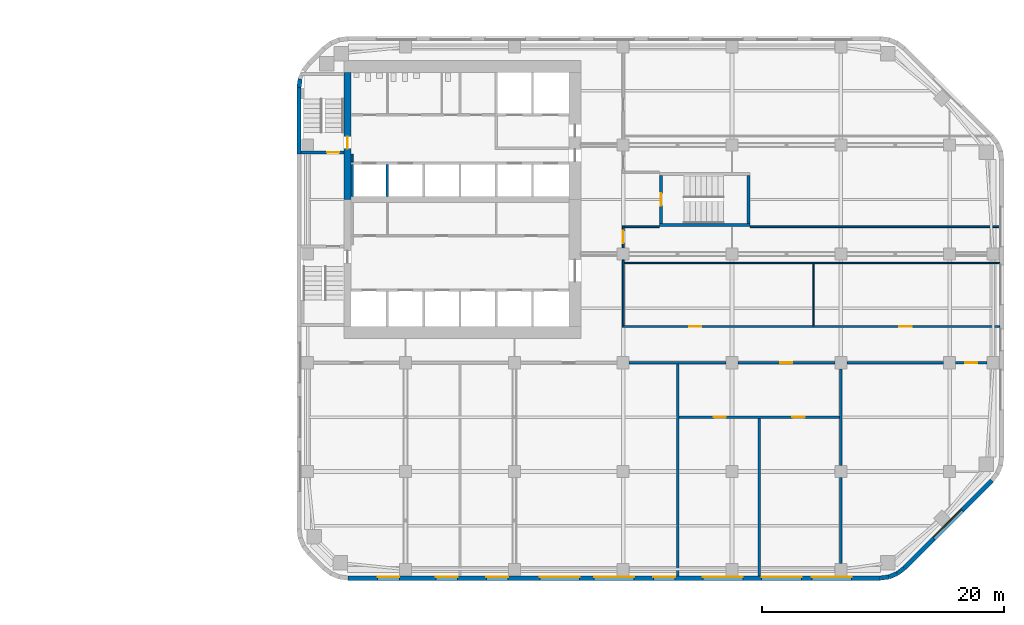
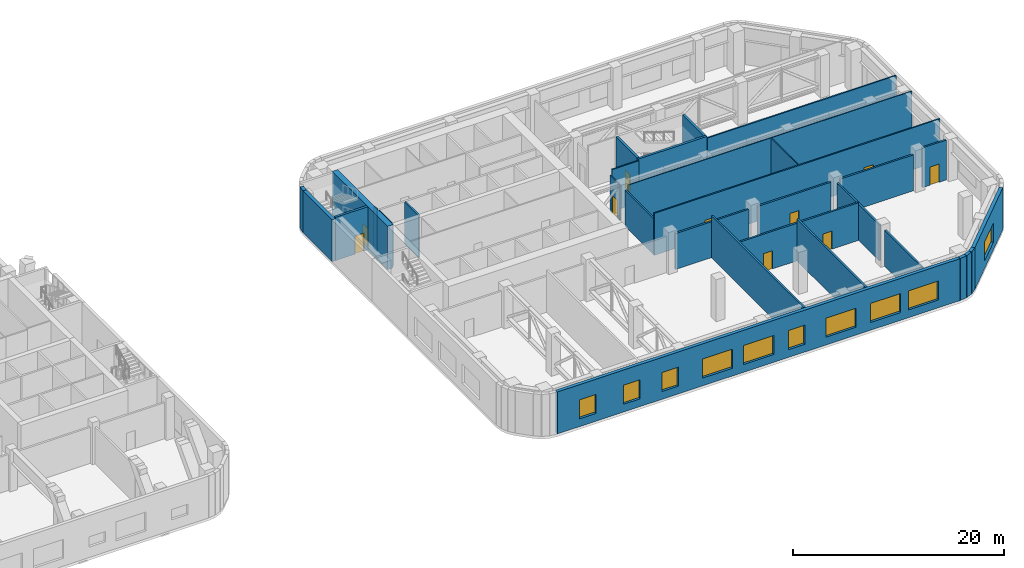
# One storey, part 16 of 23: 31 walls, 10 doors, 10 windows, 20 openings.
"""IFC4 building model written with IfcOpenShell, lengths in metres."""

from ifc_helpers import new_model, si_unit, direction, frame, frame_2d, origin, place, context, subcontext, project, spatial, rectangle, extrude, material, layer, layer_set, type_object, element, fill, save


model = new_model("IFC4")

# Units and contexts
model_context = context("Model", 3, precision=1e-05, world=origin(), true_north=direction((0.0, 1.0)))
body_context = subcontext(model_context, "Body", "Model", "MODEL_VIEW")
ifc_project = project(units=[si_unit("LENGTHUNIT", "METRE"), si_unit("AREAUNIT", "SQUARE_METRE"), si_unit("VOLUMEUNIT", "CUBIC_METRE"), si_unit("PLANEANGLEUNIT", "RADIAN"), si_unit("MASSUNIT", "GRAM", prefix="KILO")], contexts=[model_context])

# Site, building, storey
site_placement = place(None, origin())
site = spatial("IfcSite", under=ifc_project, at=site_placement, CompositionType="ELEMENT")
building_placement = place(site_placement, origin())
building = spatial("IfcBuilding", under=site, at=building_placement, Name="Cinnabar Reach Civic Tower", CompositionType="ELEMENT")
storey_placement = place(building_placement, frame((0.0, 0.0, 46.0)))
storey = spatial("IfcBuildingStorey", under=building, at=storey_placement, Name="L10", CompositionType="ELEMENT", Elevation=46.0)

# Walls
ifc_material_1 = material(Name="Facing brick with insulated backing", Category="masonry")
ifc_layer_1 = layer(ifc_material_1, 0.36)
ifc_layer_set_1 = layer_set([ifc_layer_1], Name="Brick corner wall")
wall_type_1 = type_object("IfcWallType", Name="Brick corner wall", PredefinedType="STANDARD", material=ifc_layer_set_1)
for number, where, z_axis, x_axis, name in (
    (1, (48.2686, 0.183, 0.0), (0.0, 0.0, 1.0), (0.99144092581, 0.13055608231, 0.0), "Brick corner wall"),
    (2, (48.9973, 0.2819, 0.0), (0.0, 0.0, 1.0), (0.923871547278, 0.382702709855, 0.0), "Brick corner wall"),
):
    element("IfcWall", number, at=place(storey_placement, frame(where, z_axis=z_axis, x_axis=x_axis)), inside=storey, type_object=wall_type_1, Name=name, PredefinedType="STANDARD", context=body_context, shape_type="SweptSolid", body=[
        extrude(rectangle(XDim=0.7131, YDim=0.36, at=frame_2d((0.3565, 0.0))), origin(), (0.0, 0.0, 1.0), 4.85),
    ])
wall_1_placement = place(storey_placement, frame((49.6755, 0.566, 0.0), z_axis=(0.0, 0.0, 1.0), x_axis=(0.793321924995, 0.608802368033, 0.0)))
element("IfcWall", 3, at=wall_1_placement, inside=storey, type_object=wall_type_1, Name="Brick corner wall", PredefinedType="STANDARD", context=body_context, shape_type="SweptSolid", body=[
    extrude(rectangle(XDim=0.7132, YDim=0.36, at=frame_2d((0.3566, 0.0))), origin(), (0.0, 0.0, 1.0), 4.85),
])
wall_2_placement = place(storey_placement, frame((0.2761, 41.4756, 0.0), z_axis=(0.0, 0.0, 1.0), x_axis=(-0.13055608231, -0.99144092581, 0.0)))
element("IfcWall", 4, at=wall_2_placement, inside=storey, type_object=wall_type_1, Name="Brick corner wall", PredefinedType="STANDARD", context=body_context, shape_type="SweptSolid", body=[
    extrude(rectangle(XDim=0.7131, YDim=0.36, at=frame_2d((0.3565, 0.0))), origin(), (0.0, 0.0, 1.0), 4.85),
])

# Wall, openings, windows
ifc_layer_2 = layer(ifc_material_1, 0.36)
ifc_layer_set_2 = layer_set([ifc_layer_2], Name="Brick pier and spandrel wall")
wall_type_2 = type_object("IfcWallType", Name="Brick pier and spandrel wall", PredefinedType="STANDARD", material=ifc_layer_set_2)
wall_3_placement = place(storey_placement, frame((4.2426, 0.18, 0.0), z_axis=(0.0, 0.0, 1.0), x_axis=(1.0, 0.0, 0.0)))
wall_3 = element("IfcWall", 5, at=wall_3_placement, inside=storey, type_object=wall_type_2, Name="Brick facade wall", PredefinedType="STANDARD", context=body_context, shape_type="SweptSolid", body=[
    extrude(rectangle(XDim=44.0148, YDim=0.36, at=frame_2d((22.0074, 0.0))), origin(), (0.0, 0.0, 1.0), 4.85),
])
opening_1_placement = place(wall_3_placement, frame((2.4391, 0.0, 0.9)))
opening_1 = element("IfcOpeningElement", 6, at=opening_1_placement, cuts=wall_3, Name="Opening W1132", PredefinedType="OPENING", context=body_context, shape_type="SweptSolid", body=[
    extrude(rectangle(XDim=1.8, YDim=2.2, at=frame_2d((0.9, 1.1))), frame((0.0, 0.19, 0.0), z_axis=(0.0, -1.0, 0.0), x_axis=(1.0, 0.0, 0.0)), (0.0, 0.0, 1.0), 0.38),
])
opening_2_placement = place(wall_3_placement, frame((7.2574, 0.0, 0.9)))
opening_2 = element("IfcOpeningElement", 7, at=opening_2_placement, cuts=wall_3, Name="Opening W1133", PredefinedType="OPENING", context=body_context, shape_type="SweptSolid", body=[
    extrude(rectangle(XDim=1.8, YDim=2.2, at=frame_2d((0.9, 1.1))), frame((0.0, 0.19, 0.0), z_axis=(0.0, -1.0, 0.0), x_axis=(1.0, 0.0, 0.0)), (0.0, 0.0, 1.0), 0.38),
])
opening_3_placement = place(wall_3_placement, frame((11.4391, 0.0, 0.9)))
opening_3 = element("IfcOpeningElement", 8, at=opening_3_placement, cuts=wall_3, Name="Opening W1134", PredefinedType="OPENING", context=body_context, shape_type="SweptSolid", body=[
    extrude(rectangle(XDim=1.8, YDim=2.2, at=frame_2d((0.9, 1.1))), frame((0.0, 0.19, 0.0), z_axis=(0.0, -1.0, 0.0), x_axis=(1.0, 0.0, 0.0)), (0.0, 0.0, 1.0), 0.38),
])
opening_4_placement = place(wall_3_placement, frame((15.8574, 0.0, 0.9)))
opening_4 = element("IfcOpeningElement", 9, at=opening_4_placement, cuts=wall_3, Name="Opening W1135", PredefinedType="OPENING", context=body_context, shape_type="SweptSolid", body=[
    extrude(rectangle(XDim=3.3, YDim=2.2, at=frame_2d((1.65, 1.1))), frame((0.0, 0.19, 0.0), z_axis=(0.0, -1.0, 0.0), x_axis=(1.0, 0.0, 0.0)), (0.0, 0.0, 1.0), 0.38),
])
opening_5_placement = place(wall_3_placement, frame((20.3574, 0.0, 0.9)))
opening_5 = element("IfcOpeningElement", 10, at=opening_5_placement, cuts=wall_3, Name="Opening W1136", PredefinedType="OPENING", context=body_context, shape_type="SweptSolid", body=[
    extrude(rectangle(XDim=3.3, YDim=2.2, at=frame_2d((1.65, 1.1))), frame((0.0, 0.19, 0.0), z_axis=(0.0, -1.0, 0.0), x_axis=(1.0, 0.0, 0.0)), (0.0, 0.0, 1.0), 0.38),
])
opening_6_placement = place(wall_3_placement, frame((25.2574, 0.0, 0.9)))
opening_6 = element("IfcOpeningElement", 11, at=opening_6_placement, cuts=wall_3, Name="Opening W1137", PredefinedType="OPENING", context=body_context, shape_type="SweptSolid", body=[
    extrude(rectangle(XDim=1.8, YDim=2.2, at=frame_2d((0.9, 1.1))), frame((0.0, 0.19, 0.0), z_axis=(0.0, -1.0, 0.0), x_axis=(1.0, 0.0, 0.0)), (0.0, 0.0, 1.0), 0.38),
])
opening_7_placement = place(wall_3_placement, frame((29.3574, 0.0, 0.9)))
opening_7 = element("IfcOpeningElement", 12, at=opening_7_placement, cuts=wall_3, Name="Opening W1138", PredefinedType="OPENING", context=body_context, shape_type="SweptSolid", body=[
    extrude(rectangle(XDim=3.3, YDim=2.2, at=frame_2d((1.65, 1.1))), frame((0.0, 0.19, 0.0), z_axis=(0.0, -1.0, 0.0), x_axis=(1.0, 0.0, 0.0)), (0.0, 0.0, 1.0), 0.38),
])
opening_8_placement = place(wall_3_placement, frame((34.2074, 0.0, 0.9)))
opening_8 = element("IfcOpeningElement", 13, at=opening_8_placement, cuts=wall_3, Name="Opening W1139", PredefinedType="OPENING", context=body_context, shape_type="SweptSolid", body=[
    extrude(rectangle(XDim=3.3, YDim=2.2, at=frame_2d((1.65, 1.1))), frame((0.0, 0.19, 0.0), z_axis=(0.0, -1.0, 0.0), x_axis=(1.0, 0.0, 0.0)), (0.0, 0.0, 1.0), 0.38),
])
opening_9_placement = place(wall_3_placement, frame((38.3574, 0.0, 0.9)))
opening_9 = element("IfcOpeningElement", 14, at=opening_9_placement, cuts=wall_3, Name="Opening W1140", PredefinedType="OPENING", context=body_context, shape_type="SweptSolid", body=[
    extrude(rectangle(XDim=3.3, YDim=2.2, at=frame_2d((1.65, 1.1))), frame((0.0, 0.19, 0.0), z_axis=(0.0, -1.0, 0.0), x_axis=(1.0, 0.0, 0.0)), (0.0, 0.0, 1.0), 0.38),
])
ifc_material_2 = material(Name="Clear double glazing in aluminium frame", Category="aluminium")
window_type_1 = type_object("IfcWindowType", Name="Deep-set window B", PartitioningType="SINGLE_PANEL", PredefinedType="WINDOW", material=ifc_material_2)
window_1_placement = place(opening_4_placement, origin())
window_1 = element("IfcWindow", 15, at=window_1_placement, inside=storey, type_object=window_type_1, Name="Window south face", OverallHeight=2.2, OverallWidth=3.3, PartitioningType="SINGLE_PANEL", PredefinedType="WINDOW", context=body_context, shape_type="SweptSolid", body=[
    extrude(rectangle(XDim=3.3, YDim=2.2, at=frame_2d((1.65, 1.1))), frame((0.0, 0.13, 0.0), z_axis=(0.0, -1.0, 0.0), x_axis=(1.0, 0.0, 0.0)), (0.0, 0.0, 1.0), 0.06),
])
fill(opening_4, window_1)
window_2_placement = place(opening_5_placement, origin())
window_2 = element("IfcWindow", 16, at=window_2_placement, inside=storey, type_object=window_type_1, Name="Window south face", OverallHeight=2.2, OverallWidth=3.3, PartitioningType="SINGLE_PANEL", PredefinedType="WINDOW", context=body_context, shape_type="SweptSolid", body=[
    extrude(rectangle(XDim=3.3, YDim=2.2, at=frame_2d((1.65, 1.1))), frame((0.0, 0.13, 0.0), z_axis=(0.0, -1.0, 0.0), x_axis=(1.0, 0.0, 0.0)), (0.0, 0.0, 1.0), 0.06),
])
fill(opening_5, window_2)
window_3_placement = place(opening_7_placement, origin())
window_3 = element("IfcWindow", 17, at=window_3_placement, inside=storey, type_object=window_type_1, Name="Window south face", OverallHeight=2.2, OverallWidth=3.3, PartitioningType="SINGLE_PANEL", PredefinedType="WINDOW", context=body_context, shape_type="SweptSolid", body=[
    extrude(rectangle(XDim=3.3, YDim=2.2, at=frame_2d((1.65, 1.1))), frame((0.0, 0.13, 0.0), z_axis=(0.0, -1.0, 0.0), x_axis=(1.0, 0.0, 0.0)), (0.0, 0.0, 1.0), 0.06),
])
fill(opening_7, window_3)
window_4_placement = place(opening_8_placement, origin())
window_4 = element("IfcWindow", 18, at=window_4_placement, inside=storey, type_object=window_type_1, Name="Window south face", OverallHeight=2.2, OverallWidth=3.3, PartitioningType="SINGLE_PANEL", PredefinedType="WINDOW", context=body_context, shape_type="SweptSolid", body=[
    extrude(rectangle(XDim=3.3, YDim=2.2, at=frame_2d((1.65, 1.1))), frame((0.0, 0.13, 0.0), z_axis=(0.0, -1.0, 0.0), x_axis=(1.0, 0.0, 0.0)), (0.0, 0.0, 1.0), 0.06),
])
fill(opening_8, window_4)
window_5_placement = place(opening_9_placement, origin())
window_5 = element("IfcWindow", 19, at=window_5_placement, inside=storey, type_object=window_type_1, Name="Window south face", OverallHeight=2.2, OverallWidth=3.3, PartitioningType="SINGLE_PANEL", PredefinedType="WINDOW", context=body_context, shape_type="SweptSolid", body=[
    extrude(rectangle(XDim=3.3, YDim=2.2, at=frame_2d((1.65, 1.1))), frame((0.0, 0.13, 0.0), z_axis=(0.0, -1.0, 0.0), x_axis=(1.0, 0.0, 0.0)), (0.0, 0.0, 1.0), 0.06),
])
fill(opening_9, window_5)
window_type_2 = type_object("IfcWindowType", Name="Deep-set window E", PartitioningType="SINGLE_PANEL", PredefinedType="WINDOW", material=ifc_material_2)
window_6_placement = place(opening_1_placement, origin())
window_6 = element("IfcWindow", 20, at=window_6_placement, inside=storey, type_object=window_type_2, Name="Window south face", OverallHeight=2.2, OverallWidth=1.8, PartitioningType="SINGLE_PANEL", PredefinedType="WINDOW", context=body_context, shape_type="SweptSolid", body=[
    extrude(rectangle(XDim=1.8, YDim=2.2, at=frame_2d((0.9, 1.1))), frame((0.0, 0.13, 0.0), z_axis=(0.0, -1.0, 0.0), x_axis=(1.0, 0.0, 0.0)), (0.0, 0.0, 1.0), 0.06),
])
fill(opening_1, window_6)
window_7_placement = place(opening_2_placement, origin())
window_7 = element("IfcWindow", 21, at=window_7_placement, inside=storey, type_object=window_type_2, Name="Window south face", OverallHeight=2.2, OverallWidth=1.8, PartitioningType="SINGLE_PANEL", PredefinedType="WINDOW", context=body_context, shape_type="SweptSolid", body=[
    extrude(rectangle(XDim=1.8, YDim=2.2, at=frame_2d((0.9, 1.1))), frame((0.0, 0.13, 0.0), z_axis=(0.0, -1.0, 0.0), x_axis=(1.0, 0.0, 0.0)), (0.0, 0.0, 1.0), 0.06),
])
fill(opening_2, window_7)
window_8_placement = place(opening_3_placement, origin())
window_8 = element("IfcWindow", 22, at=window_8_placement, inside=storey, type_object=window_type_2, Name="Window south face", OverallHeight=2.2, OverallWidth=1.8, PartitioningType="SINGLE_PANEL", PredefinedType="WINDOW", context=body_context, shape_type="SweptSolid", body=[
    extrude(rectangle(XDim=1.8, YDim=2.2, at=frame_2d((0.9, 1.1))), frame((0.0, 0.13, 0.0), z_axis=(0.0, -1.0, 0.0), x_axis=(1.0, 0.0, 0.0)), (0.0, 0.0, 1.0), 0.06),
])
fill(opening_3, window_8)
window_9_placement = place(opening_6_placement, origin())
window_9 = element("IfcWindow", 23, at=window_9_placement, inside=storey, type_object=window_type_2, Name="Window south face", OverallHeight=2.2, OverallWidth=1.8, PartitioningType="SINGLE_PANEL", PredefinedType="WINDOW", context=body_context, shape_type="SweptSolid", body=[
    extrude(rectangle(XDim=1.8, YDim=2.2, at=frame_2d((0.9, 1.1))), frame((0.0, 0.13, 0.0), z_axis=(0.0, -1.0, 0.0), x_axis=(1.0, 0.0, 0.0)), (0.0, 0.0, 1.0), 0.06),
])
fill(opening_6, window_9)

# Wall, opening, window
wall_4_placement = place(storey_placement, frame((50.2514, 1.006, 0.0), z_axis=(0.0, 0.0, 1.0), x_axis=(0.707106781187, 0.707106781187, 0.0)))
wall_4 = element("IfcWall", 24, at=wall_4_placement, inside=storey, type_object=wall_type_2, Name="Brick facade wall", PredefinedType="STANDARD", context=body_context, shape_type="SweptSolid", body=[
    extrude(rectangle(XDim=10.2426, YDim=0.36, at=frame_2d((5.1213, 0.0))), origin(), (0.0, 0.0, 1.0), 4.85),
])
opening_10_placement = place(wall_4_placement, frame((3.4713, 0.0, 0.9)))
opening_10 = element("IfcOpeningElement", 25, at=opening_10_placement, cuts=wall_4, Name="Opening W1141", PredefinedType="OPENING", context=body_context, shape_type="SweptSolid", body=[
    extrude(rectangle(XDim=3.3, YDim=2.2, at=frame_2d((1.65, 1.1))), frame((0.0, 0.19, 0.0), z_axis=(0.0, -1.0, 0.0), x_axis=(1.0, 0.0, 0.0)), (0.0, 0.0, 1.0), 0.38),
])
window_10_placement = place(opening_10_placement, origin())
window_10 = element("IfcWindow", 26, at=window_10_placement, inside=storey, type_object=window_type_1, Name="Window southeast face", OverallHeight=2.2, OverallWidth=3.3, PartitioningType="SINGLE_PANEL", PredefinedType="WINDOW", context=body_context, shape_type="SweptSolid", body=[
    extrude(rectangle(XDim=3.3, YDim=2.2, at=frame_2d((1.65, 1.1))), frame((0.0, 0.13, 0.0), z_axis=(0.0, -1.0, 0.0), x_axis=(1.0, 0.0, 0.0)), (0.0, 0.0, 1.0), 0.06),
])
fill(opening_10, window_10)

# Wall
wall_5_placement = place(storey_placement, frame((0.18, 40.7574, 0.0), z_axis=(0.0, 0.0, 1.0), x_axis=(0.0, -1.0, 0.0)))
element("IfcWall", 27, at=wall_5_placement, inside=storey, type_object=wall_type_2, Name="Brick facade wall", PredefinedType="STANDARD", context=body_context, shape_type="SweptSolid", body=[
    extrude(rectangle(XDim=5.5074, YDim=0.36, at=frame_2d((2.7537, 0.0))), origin(), (0.0, 0.0, 1.0), 4.85),
])

# Wall, opening, door
ifc_material_3 = material(Name="Concrete C70", Category="concrete")
ifc_layer_3 = layer(ifc_material_3, 0.6)
ifc_layer_set_3 = layer_set([ifc_layer_3], Name="Core wall 600 EI 180")
wall_type_3 = type_object("IfcWallType", Name="Core wall 600 EI 180", PredefinedType="SOLIDWALL", material=ifc_layer_set_3)
wall_6_placement = place(storey_placement, frame((4.2, 42.0, 0.0), z_axis=(0.0, 0.0, 1.0), x_axis=(0.0, -1.0, 0.0)))
wall_6 = element("IfcWall", 28, at=wall_6_placement, inside=storey, type_object=wall_type_3, Name="Core wall T1 L10 W", PredefinedType="SOLIDWALL", context=body_context, shape_type="SweptSolid", body=[
    extrude(rectangle(XDim=10.5, YDim=0.6, at=frame_2d((5.25, 0.0))), origin(), (0.0, 0.0, 1.0), 5.0),
])
opening_11_placement = place(wall_6_placement, frame((5.3, 0.0, 0.0)))
opening_11 = element("IfcOpeningElement", 29, at=opening_11_placement, cuts=wall_6, Name="Opening D3395", PredefinedType="OPENING", context=body_context, shape_type="SweptSolid", body=[
    extrude(rectangle(XDim=1.0, YDim=2.1, at=frame_2d((0.5, 1.05))), frame((0.0, 0.31, 0.0), z_axis=(0.0, -1.0, 0.0), x_axis=(1.0, 0.0, 0.0)), (0.0, 0.0, 1.0), 0.62),
])
ifc_material_4 = material(Name="Timber door leaf in steel frame", Category="steel")
door_type_1 = type_object("IfcDoorType", Name="Stair door 1000 x 2100 T1", OperationType="SINGLE_SWING_LEFT", PredefinedType="DOOR", material=ifc_material_4)
door_1_placement = place(opening_11_placement, frame((1.0, 0.0, 0.0), z_axis=(0.0, 0.0, 1.0), x_axis=(-1.0, 0.0, 0.0)))
door_1 = element("IfcDoor", 30, at=door_1_placement, inside=storey, type_object=door_type_1, Name="Door D3395", OperationType="SINGLE_SWING_LEFT", OverallHeight=2.1, OverallWidth=1.0, PredefinedType="DOOR", context=body_context, shape_type="SweptSolid", body=[
    extrude(rectangle(XDim=1.0, YDim=2.1, at=frame_2d((0.5, 1.05))), frame((0.0, 0.025, 0.0), z_axis=(0.0, -1.0, 0.0), x_axis=(1.0, 0.0, 0.0)), (0.0, 0.0, 1.0), 0.05),
])
fill(opening_11, door_1)

# Wall, openings, doors
ifc_material_5 = material(Name="Gypsum board on steel studs, double layer", Category="steel")
ifc_layer_4 = layer(ifc_material_5, 0.15)
ifc_layer_set_4 = layer_set([ifc_layer_4], Name="Corridor wall 150 T1")
wall_type_4 = type_object("IfcWallType", Name="Corridor wall 150 T1", PredefinedType="PARTITIONING", material=ifc_layer_set_4)
wall_7_placement = place(storey_placement, frame((26.925, 21.0, 0.0), z_axis=(0.0, 0.0, 1.0), x_axis=(1.0, 0.0, 0.0)))
wall_7 = element("IfcWall", 31, at=wall_7_placement, inside=storey, type_object=wall_type_4, Name="Corridor wall 32", PredefinedType="PARTITIONING", context=body_context, shape_type="SweptSolid", body=[
    extrude(rectangle(XDim=31.215, YDim=0.15, at=frame_2d((15.6075, 0.0))), origin(), (0.0, 0.0, 1.0), 4.85),
])
opening_12_placement = place(wall_7_placement, frame((5.55, 0.0, 0.0)))
opening_12 = element("IfcOpeningElement", 32, at=opening_12_placement, cuts=wall_7, Name="Opening D3423", PredefinedType="OPENING", context=body_context, shape_type="SweptSolid", body=[
    extrude(rectangle(XDim=1.0, YDim=2.1, at=frame_2d((0.5, 1.05))), frame((0.0, 0.085, 0.0), z_axis=(0.0, -1.0, 0.0), x_axis=(1.0, 0.0, 0.0)), (0.0, 0.0, 1.0), 0.17),
])
opening_13_placement = place(wall_7_placement, frame((22.925, 0.0, 0.0)))
opening_13 = element("IfcOpeningElement", 33, at=opening_13_placement, cuts=wall_7, Name="Opening D3424", PredefinedType="OPENING", context=body_context, shape_type="SweptSolid", body=[
    extrude(rectangle(XDim=1.0, YDim=2.1, at=frame_2d((0.5, 1.05))), frame((0.0, 0.085, 0.0), z_axis=(0.0, -1.0, 0.0), x_axis=(1.0, 0.0, 0.0)), (0.0, 0.0, 1.0), 0.17),
])
door_type_2 = type_object("IfcDoorType", Name="Plant room door 1000 x 2100 T1", OperationType="SINGLE_SWING_LEFT", PredefinedType="DOOR", material=ifc_material_4)
door_2_placement = place(opening_12_placement, origin())
door_2 = element("IfcDoor", 34, at=door_2_placement, inside=storey, type_object=door_type_2, Name="Door D3423", OperationType="SINGLE_SWING_LEFT", OverallHeight=2.1, OverallWidth=1.0, PredefinedType="DOOR", context=body_context, shape_type="SweptSolid", body=[
    extrude(rectangle(XDim=1.0, YDim=2.1, at=frame_2d((0.5, 1.05))), frame((0.0, 0.025, 0.0), z_axis=(0.0, -1.0, 0.0), x_axis=(1.0, 0.0, 0.0)), (0.0, 0.0, 1.0), 0.05),
])
fill(opening_12, door_2)
door_3_placement = place(opening_13_placement, origin())
door_3 = element("IfcDoor", 35, at=door_3_placement, inside=storey, type_object=door_type_2, Name="Door D3424", OperationType="SINGLE_SWING_LEFT", OverallHeight=2.1, OverallWidth=1.0, PredefinedType="DOOR", context=body_context, shape_type="SweptSolid", body=[
    extrude(rectangle(XDim=1.0, YDim=2.1, at=frame_2d((0.5, 1.05))), frame((0.0, 0.025, 0.0), z_axis=(0.0, -1.0, 0.0), x_axis=(1.0, 0.0, 0.0)), (0.0, 0.0, 1.0), 0.05),
])
fill(opening_13, door_3)

# Wall
wall_8_placement = place(storey_placement, frame((27.0, 21.075, 0.0), z_axis=(0.0, 0.0, 1.0), x_axis=(0.0, 1.0, 0.0)))
element("IfcWall", 36, at=wall_8_placement, inside=storey, type_object=wall_type_4, Name="Corridor wall 37", PredefinedType="PARTITIONING", context=body_context, shape_type="SweptSolid", body=[
    extrude(rectangle(XDim=5.425, YDim=0.15, at=frame_2d((2.7125, 0.0))), origin(), (0.0, 0.0, 1.0), 4.158),
])

# Wall, opening, door
wall_9_placement = place(storey_placement, frame((27.0, 27.5, 0.0), z_axis=(0.0, 0.0, 1.0), x_axis=(0.0, 1.0, 0.0)))
wall_9 = element("IfcWall", 37, at=wall_9_placement, inside=storey, type_object=wall_type_4, Name="Corridor wall 38", PredefinedType="PARTITIONING", context=body_context, shape_type="SweptSolid", body=[
    extrude(rectangle(XDim=1.825, YDim=0.15, at=frame_2d((0.9125, 0.0))), origin(), (0.0, 0.0, 1.0), 4.158),
])
opening_14_placement = place(wall_9_placement, frame((0.4, 0.0, 0.0)))
opening_14 = element("IfcOpeningElement", 38, at=opening_14_placement, cuts=wall_9, Name="Opening D3422", PredefinedType="OPENING", context=body_context, shape_type="SweptSolid", body=[
    extrude(rectangle(XDim=1.0, YDim=2.1, at=frame_2d((0.5, 1.05))), frame((0.0, 0.085, 0.0), z_axis=(0.0, -1.0, 0.0), x_axis=(1.0, 0.0, 0.0)), (0.0, 0.0, 1.0), 0.17),
])
door_4_placement = place(opening_14_placement, frame((1.0, 0.0, 0.0), z_axis=(0.0, 0.0, 1.0), x_axis=(-1.0, 0.0, 0.0)))
door_4 = element("IfcDoor", 39, at=door_4_placement, inside=storey, type_object=door_type_2, Name="Door D3422", OperationType="SINGLE_SWING_LEFT", OverallHeight=2.1, OverallWidth=1.0, PredefinedType="DOOR", context=body_context, shape_type="SweptSolid", body=[
    extrude(rectangle(XDim=1.0, YDim=2.1, at=frame_2d((0.5, 1.05))), frame((0.0, 0.025, 0.0), z_axis=(0.0, -1.0, 0.0), x_axis=(1.0, 0.0, 0.0)), (0.0, 0.0, 1.0), 0.05),
])
fill(opening_14, door_4)

# Walls
wall_10_placement = place(storey_placement, frame((27.075, 29.25, 0.0), z_axis=(0.0, 0.0, 1.0), x_axis=(1.0, 0.0, 0.0)))
element("IfcWall", 40, at=wall_10_placement, inside=storey, type_object=wall_type_4, Name="Corridor wall 41", PredefinedType="PARTITIONING", context=body_context, shape_type="SweptSolid", body=[
    extrude(rectangle(XDim=2.925, YDim=0.15, at=frame_2d((1.4625, 0.0))), origin(), (0.0, 0.0, 1.0), 4.85),
])
wall_11_placement = place(storey_placement, frame((4.575, 34.6, 0.0), z_axis=(0.0, 0.0, 1.0), x_axis=(0.0, 1.0, 0.0)))
element("IfcWall", 41, at=wall_11_placement, inside=storey, type_object=wall_type_4, Name="Corridor wall 43", PredefinedType="PARTITIONING", context=body_context, shape_type="SweptSolid", body=[
    extrude(rectangle(XDim=0.65, YDim=0.15, at=frame_2d((0.325, 0.0))), origin(), (0.0, 0.0, 1.0), 4.85),
])
ifc_material_6 = material(Name="Blockwork", Category="masonry")
ifc_layer_5 = layer(ifc_material_6, 0.2)
ifc_layer_set_5 = layer_set([ifc_layer_5], Name="Lift shaft wall 200 T1")
wall_type_5 = type_object("IfcWallType", Name="Lift shaft wall 200 T1", PredefinedType="PARTITIONING", material=ifc_layer_set_5)
for number, where, z_axis, x_axis, name in (
    (42, (4.6, 31.75, 0.0), (0.0, 0.0, 1.0), (0.0, 1.0, 0.0), "Lift shaft wall 21"),
    (43, (7.5, 31.75, 0.0), (0.0, 0.0, 1.0), (0.0, 1.0, 0.0), "Lift shaft wall 23"),
):
    element("IfcWall", number, at=place(storey_placement, frame(where, z_axis=z_axis, x_axis=x_axis)), inside=storey, type_object=wall_type_5, Name=name, PredefinedType="PARTITIONING", context=body_context, shape_type="SweptSolid", body=[
        extrude(rectangle(XDim=2.65, YDim=0.2, at=frame_2d((1.325, 0.0))), origin(), (0.0, 0.0, 1.0), 4.85),
    ])
ifc_material_7 = material(Name="Gypsum board on steel studs", Category="steel")
ifc_layer_6 = layer(ifc_material_7, 0.1)
ifc_layer_set_6 = layer_set([ifc_layer_6], Name="Partition wall 100 T1")
wall_type_6 = type_object("IfcWallType", Name="Partition wall 100 T1", PredefinedType="PARTITIONING", material=ifc_layer_set_6)
wall_12_placement = place(storey_placement, frame((27.075, 26.25, 0.0), z_axis=(0.0, 0.0, 1.0), x_axis=(1.0, 0.0, 0.0)))
element("IfcWall", 44, at=wall_12_placement, inside=storey, type_object=wall_type_6, Name="Partition wall 46", PredefinedType="PARTITIONING", context=body_context, shape_type="SweptSolid", body=[
    extrude(rectangle(XDim=31.065, YDim=0.1, at=frame_2d((15.5325, 0.0))), origin(), (0.0, 0.0, 1.0), 4.85),
])
wall_13_placement = place(storey_placement, frame((42.75, 21.075, 0.0), z_axis=(0.0, 0.0, 1.0), x_axis=(0.0, 1.0, 0.0)))
element("IfcWall", 45, at=wall_13_placement, inside=storey, type_object=wall_type_6, Name="Partition wall 48", PredefinedType="PARTITIONING", context=body_context, shape_type="SweptSolid", body=[
    extrude(rectangle(XDim=5.125, YDim=0.1, at=frame_2d((2.5625, 0.0))), origin(), (0.0, 0.0, 1.0), 4.85),
])

# Wall, opening, door
ifc_material_8 = material(Name="Concrete C40", Category="concrete")
ifc_layer_7 = layer(ifc_material_8, 0.2)
ifc_layer_set_7 = layer_set([ifc_layer_7], Name="Refuge compartment wall 200 T1")
wall_type_7 = type_object("IfcWallType", Name="Refuge compartment wall 200 T1", PredefinedType="PARTITIONING", material=ifc_layer_set_7)
wall_14_placement = place(storey_placement, frame((54.5, 18.0, 0.0), z_axis=(0.0, 0.0, 1.0), x_axis=(1.0, 0.0, 0.0)))
wall_14 = element("IfcWall", 46, at=wall_14_placement, inside=storey, type_object=wall_type_7, Name="Refuge compartment wall 1", PredefinedType="PARTITIONING", context=body_context, shape_type="SweptSolid", body=[
    extrude(rectangle(XDim=2.6, YDim=0.2, at=frame_2d((1.3, 0.0))), origin(), (0.0, 0.0, 1.0), 4.602),
])
opening_15_placement = place(wall_14_placement, frame((0.8, 0.0, 0.0)))
opening_15 = element("IfcOpeningElement", 47, at=opening_15_placement, cuts=wall_14, Name="Opening D3430", PredefinedType="OPENING", context=body_context, shape_type="SweptSolid", body=[
    extrude(rectangle(XDim=1.0, YDim=2.1, at=frame_2d((0.5, 1.05))), frame((0.0, 0.11, 0.0), z_axis=(0.0, -1.0, 0.0), x_axis=(1.0, 0.0, 0.0)), (0.0, 0.0, 1.0), 0.22),
])
door_type_3 = type_object("IfcDoorType", Name="Refuge door 1000 x 2100 T1", OperationType="SINGLE_SWING_LEFT", PredefinedType="DOOR", material=ifc_material_4)
door_5_placement = place(opening_15_placement, origin())
door_5 = element("IfcDoor", 48, at=door_5_placement, inside=storey, type_object=door_type_3, Name="Door D3430", OperationType="SINGLE_SWING_LEFT", OverallHeight=2.1, OverallWidth=1.0, PredefinedType="DOOR", context=body_context, shape_type="SweptSolid", body=[
    extrude(rectangle(XDim=1.0, YDim=2.1, at=frame_2d((0.5, 1.05))), frame((0.0, 0.025, 0.0), z_axis=(0.0, -1.0, 0.0), x_axis=(1.0, 0.0, 0.0)), (0.0, 0.0, 1.0), 0.05),
])
fill(opening_15, door_5)

# Wall
wall_15_placement = place(storey_placement, frame((45.5, 18.0, 0.0), z_axis=(0.0, 0.0, 1.0), x_axis=(1.0, 0.0, 0.0)))
element("IfcWall", 49, at=wall_15_placement, inside=storey, type_object=wall_type_7, Name="Refuge compartment wall 2", PredefinedType="PARTITIONING", context=body_context, shape_type="SweptSolid", body=[
    extrude(rectangle(XDim=8.0, YDim=0.2, at=frame_2d((4.0, 0.0))), origin(), (0.0, 0.0, 1.0), 4.15),
])

# Wall, opening, door
wall_16_placement = place(storey_placement, frame((36.5, 18.0, 0.0), z_axis=(0.0, 0.0, 1.0), x_axis=(1.0, 0.0, 0.0)))
wall_16 = element("IfcWall", 50, at=wall_16_placement, inside=storey, type_object=wall_type_7, Name="Refuge compartment wall 3", PredefinedType="PARTITIONING", context=body_context, shape_type="SweptSolid", body=[
    extrude(rectangle(XDim=8.0, YDim=0.2, at=frame_2d((4.0, 0.0))), origin(), (0.0, 0.0, 1.0), 4.15),
])
opening_16_placement = place(wall_16_placement, frame((3.5, 0.0, 0.0)))
opening_16 = element("IfcOpeningElement", 51, at=opening_16_placement, cuts=wall_16, Name="Opening D3427", PredefinedType="OPENING", context=body_context, shape_type="SweptSolid", body=[
    extrude(rectangle(XDim=1.0, YDim=2.1, at=frame_2d((0.5, 1.05))), frame((0.0, 0.11, 0.0), z_axis=(0.0, -1.0, 0.0), x_axis=(1.0, 0.0, 0.0)), (0.0, 0.0, 1.0), 0.22),
])
door_6_placement = place(opening_16_placement, frame((1.0, 0.0, 0.0), z_axis=(0.0, 0.0, 1.0), x_axis=(-1.0, 0.0, 0.0)))
door_6 = element("IfcDoor", 52, at=door_6_placement, inside=storey, type_object=door_type_3, Name="Door D3427", OperationType="SINGLE_SWING_LEFT", OverallHeight=2.1, OverallWidth=1.0, PredefinedType="DOOR", context=body_context, shape_type="SweptSolid", body=[
    extrude(rectangle(XDim=1.0, YDim=2.1, at=frame_2d((0.5, 1.05))), frame((0.0, 0.025, 0.0), z_axis=(0.0, -1.0, 0.0), x_axis=(1.0, 0.0, 0.0)), (0.0, 0.0, 1.0), 0.05),
])
fill(opening_16, door_6)

# Walls
wall_17_placement = place(storey_placement, frame((27.5, 18.0, 0.0), z_axis=(0.0, 0.0, 1.0), x_axis=(1.0, 0.0, 0.0)))
element("IfcWall", 53, at=wall_17_placement, inside=storey, type_object=wall_type_7, Name="Refuge compartment wall 4", PredefinedType="PARTITIONING", context=body_context, shape_type="SweptSolid", body=[
    extrude(rectangle(XDim=8.0, YDim=0.2, at=frame_2d((4.0, 0.0))), origin(), (0.0, 0.0, 1.0), 4.15),
])
wall_18_placement = place(storey_placement, frame((31.5, 0.36, 0.0), z_axis=(0.0, 0.0, 1.0), x_axis=(0.0, 1.0, 0.0)))
element("IfcWall", 54, at=wall_18_placement, inside=storey, type_object=wall_type_7, Name="Refuge compartment wall 9", PredefinedType="PARTITIONING", context=body_context, shape_type="SweptSolid", body=[
    extrude(rectangle(XDim=17.54, YDim=0.2, at=frame_2d((8.77, 0.0))), origin(), (0.0, 0.0, 1.0), 4.85),
])
wall_19_placement = place(storey_placement, frame((45.0, 1.4, 0.0), z_axis=(0.0, 0.0, 1.0), x_axis=(0.0, 1.0, 0.0)))
element("IfcWall", 55, at=wall_19_placement, inside=storey, type_object=wall_type_7, Name="Refuge compartment wall 10", PredefinedType="PARTITIONING", context=body_context, shape_type="SweptSolid", body=[
    extrude(rectangle(XDim=7.1, YDim=0.2, at=frame_2d((3.55, 0.0))), origin(), (0.0, 0.0, 1.0), 4.158),
])
wall_20_placement = place(storey_placement, frame((45.0, 9.5, 0.0), z_axis=(0.0, 0.0, 1.0), x_axis=(0.0, 1.0, 0.0)))
element("IfcWall", 56, at=wall_20_placement, inside=storey, type_object=wall_type_7, Name="Refuge compartment wall 11", PredefinedType="PARTITIONING", context=body_context, shape_type="SweptSolid", body=[
    extrude(rectangle(XDim=8.0, YDim=0.2, at=frame_2d((4.0, 0.0))), origin(), (0.0, 0.0, 1.0), 4.158),
])

# Wall, openings, doors
wall_21_placement = place(storey_placement, frame((31.6, 13.5, 0.0), z_axis=(0.0, 0.0, 1.0), x_axis=(1.0, 0.0, 0.0)))
wall_21 = element("IfcWall", 57, at=wall_21_placement, inside=storey, type_object=wall_type_7, Name="Refuge compartment wall 12", PredefinedType="PARTITIONING", context=body_context, shape_type="SweptSolid", body=[
    extrude(rectangle(XDim=13.3, YDim=0.2, at=frame_2d((6.65, 0.0))), origin(), (0.0, 0.0, 1.0), 4.35),
])
opening_17_placement = place(wall_21_placement, frame((2.9, 0.0, 0.0)))
opening_17 = element("IfcOpeningElement", 58, at=opening_17_placement, cuts=wall_21, Name="Opening D3428", PredefinedType="OPENING", context=body_context, shape_type="SweptSolid", body=[
    extrude(rectangle(XDim=1.0, YDim=2.1, at=frame_2d((0.5, 1.05))), frame((0.0, 0.11, 0.0), z_axis=(0.0, -1.0, 0.0), x_axis=(1.0, 0.0, 0.0)), (0.0, 0.0, 1.0), 0.22),
])
opening_18_placement = place(wall_21_placement, frame((9.4, 0.0, 0.0)))
opening_18 = element("IfcOpeningElement", 59, at=opening_18_placement, cuts=wall_21, Name="Opening D3429", PredefinedType="OPENING", context=body_context, shape_type="SweptSolid", body=[
    extrude(rectangle(XDim=1.0, YDim=2.1, at=frame_2d((0.5, 1.05))), frame((0.0, 0.11, 0.0), z_axis=(0.0, -1.0, 0.0), x_axis=(1.0, 0.0, 0.0)), (0.0, 0.0, 1.0), 0.22),
])
door_7_placement = place(opening_17_placement, origin())
door_7 = element("IfcDoor", 60, at=door_7_placement, inside=storey, type_object=door_type_3, Name="Door D3428", OperationType="SINGLE_SWING_RIGHT", OverallHeight=2.1, OverallWidth=1.0, PredefinedType="DOOR", context=body_context, shape_type="SweptSolid", body=[
    extrude(rectangle(XDim=1.0, YDim=2.1, at=frame_2d((0.5, 1.05))), frame((0.0, 0.025, 0.0), z_axis=(0.0, -1.0, 0.0), x_axis=(1.0, 0.0, 0.0)), (0.0, 0.0, 1.0), 0.05),
])
fill(opening_17, door_7)
door_8_placement = place(opening_18_placement, origin())
door_8 = element("IfcDoor", 61, at=door_8_placement, inside=storey, type_object=door_type_3, Name="Door D3429", OperationType="SINGLE_SWING_RIGHT", OverallHeight=2.1, OverallWidth=1.0, PredefinedType="DOOR", context=body_context, shape_type="SweptSolid", body=[
    extrude(rectangle(XDim=1.0, YDim=2.1, at=frame_2d((0.5, 1.05))), frame((0.0, 0.025, 0.0), z_axis=(0.0, -1.0, 0.0), x_axis=(1.0, 0.0, 0.0)), (0.0, 0.0, 1.0), 0.05),
])
fill(opening_18, door_8)

# Wall
wall_22_placement = place(storey_placement, frame((38.25, 0.36, 0.0), z_axis=(0.0, 0.0, 1.0), x_axis=(0.0, 1.0, 0.0)))
element("IfcWall", 62, at=wall_22_placement, inside=storey, type_object=wall_type_7, Name="Refuge compartment wall 13", PredefinedType="PARTITIONING", context=body_context, shape_type="SweptSolid", body=[
    extrude(rectangle(XDim=13.04, YDim=0.2, at=frame_2d((6.52, 0.0))), origin(), (0.0, 0.0, 1.0), 4.85),
])

# Wall, opening, door
ifc_material_9 = material(Name="Concrete C60", Category="concrete")
ifc_layer_8 = layer(ifc_material_9, 0.25)
ifc_layer_set_8 = layer_set([ifc_layer_8], Name="Stair shaft wall 250 EI 120")
wall_type_8 = type_object("IfcWallType", Name="Stair shaft wall 250 EI 120", PredefinedType="SOLIDWALL", material=ifc_layer_set_8)
wall_23_placement = place(storey_placement, frame((0.36, 35.375, 0.0), z_axis=(0.0, 0.0, 1.0), x_axis=(1.0, 0.0, 0.0)))
wall_23 = element("IfcWall", 63, at=wall_23_placement, inside=storey, type_object=wall_type_8, Name="Stair shaft wall T1-S2 L10", PredefinedType="SOLIDWALL", context=body_context, shape_type="SweptSolid", body=[
    extrude(rectangle(XDim=3.54, YDim=0.25, at=frame_2d((1.77, 0.0))), origin(), (0.0, 0.0, 1.0), 5.0),
])
opening_19_placement = place(wall_23_placement, frame((2.14, 0.0, 0.0)))
opening_19 = element("IfcOpeningElement", 64, at=opening_19_placement, cuts=wall_23, Name="Opening D3396", PredefinedType="OPENING", context=body_context, shape_type="SweptSolid", body=[
    extrude(rectangle(XDim=1.0, YDim=2.1, at=frame_2d((0.5, 1.05))), frame((0.0, 0.135, 0.0), z_axis=(0.0, -1.0, 0.0), x_axis=(1.0, 0.0, 0.0)), (0.0, 0.0, 1.0), 0.27),
])
door_9_placement = place(opening_19_placement, origin())
door_9 = element("IfcDoor", 65, at=door_9_placement, inside=storey, type_object=door_type_1, Name="Door D3396", OperationType="SINGLE_SWING_RIGHT", OverallHeight=2.1, OverallWidth=1.0, PredefinedType="DOOR", context=body_context, shape_type="SweptSolid", body=[
    extrude(rectangle(XDim=1.0, YDim=2.1, at=frame_2d((0.5, 1.05))), frame((0.0, 0.025, 0.0), z_axis=(0.0, -1.0, 0.0), x_axis=(1.0, 0.0, 0.0)), (0.0, 0.0, 1.0), 0.05),
])
fill(opening_19, door_9)

# Walls
wall_24_placement = place(storey_placement, frame((30.0, 29.375, 0.0), z_axis=(0.0, 0.0, 1.0), x_axis=(1.0, 0.0, 0.0)))
element("IfcWall", 66, at=wall_24_placement, inside=storey, type_object=wall_type_8, Name="Stair shaft wall T1-S3 L10", PredefinedType="SOLIDWALL", context=body_context, shape_type="SweptSolid", body=[
    extrude(rectangle(XDim=7.5, YDim=0.25, at=frame_2d((3.75, 0.0))), origin(), (0.0, 0.0, 1.0), 5.0),
])
wall_25_placement = place(storey_placement, frame((37.375, 29.5, 0.0), z_axis=(0.0, 0.0, 1.0), x_axis=(0.0, 1.0, 0.0)))
element("IfcWall", 67, at=wall_25_placement, inside=storey, type_object=wall_type_8, Name="Stair shaft wall T1-S3 L10", PredefinedType="SOLIDWALL", context=body_context, shape_type="SweptSolid", body=[
    extrude(rectangle(XDim=4.0, YDim=0.25, at=frame_2d((2.0, 0.0))), origin(), (0.0, 0.0, 1.0), 5.0),
])

# Wall, opening, door
wall_26_placement = place(storey_placement, frame((30.125, 33.5, 0.0), z_axis=(0.0, 0.0, 1.0), x_axis=(0.0, -1.0, 0.0)))
wall_26 = element("IfcWall", 68, at=wall_26_placement, inside=storey, type_object=wall_type_8, Name="Stair shaft wall T1-S3 L10", PredefinedType="SOLIDWALL", context=body_context, shape_type="SweptSolid", body=[
    extrude(rectangle(XDim=4.0, YDim=0.25, at=frame_2d((2.0, 0.0))), origin(), (0.0, 0.0, 1.0), 5.0),
])
opening_20_placement = place(wall_26_placement, frame((1.5, 0.0, 0.0)))
opening_20 = element("IfcOpeningElement", 69, at=opening_20_placement, cuts=wall_26, Name="Opening D3412", PredefinedType="OPENING", context=body_context, shape_type="SweptSolid", body=[
    extrude(rectangle(XDim=1.0, YDim=2.1, at=frame_2d((0.5, 1.05))), frame((0.0, 0.135, 0.0), z_axis=(0.0, -1.0, 0.0), x_axis=(1.0, 0.0, 0.0)), (0.0, 0.0, 1.0), 0.27),
])
door_10_placement = place(opening_20_placement, origin())
door_10 = element("IfcDoor", 70, at=door_10_placement, inside=storey, type_object=door_type_1, Name="Door D3412", OperationType="SINGLE_SWING_LEFT", OverallHeight=2.1, OverallWidth=1.0, PredefinedType="DOOR", context=body_context, shape_type="SweptSolid", body=[
    extrude(rectangle(XDim=1.0, YDim=2.1, at=frame_2d((0.5, 1.05))), frame((0.0, 0.025, 0.0), z_axis=(0.0, -1.0, 0.0), x_axis=(1.0, 0.0, 0.0)), (0.0, 0.0, 1.0), 0.05),
])
fill(opening_20, door_10)

# Wall
ifc_layer_9 = layer(ifc_material_5, 0.15)
ifc_layer_set_9 = layer_set([ifc_layer_9], Name="Tenancy separating wall 150 T1")
wall_type_9 = type_object("IfcWallType", Name="Tenancy separating wall 150 T1", PredefinedType="PARTITIONING", material=ifc_layer_set_9)
wall_27_placement = place(storey_placement, frame((37.5, 29.25, 0.0), z_axis=(0.0, 0.0, 1.0), x_axis=(1.0, 0.0, 0.0)))
element("IfcWall", 71, at=wall_27_placement, inside=storey, type_object=wall_type_9, Name="Tenancy separating wall 45", PredefinedType="PARTITIONING", context=body_context, shape_type="SweptSolid", body=[
    extrude(rectangle(XDim=20.64, YDim=0.15, at=frame_2d((10.32, 0.0))), origin(), (0.0, 0.0, 1.0), 4.85),
])

save(model, "model.ifc")
